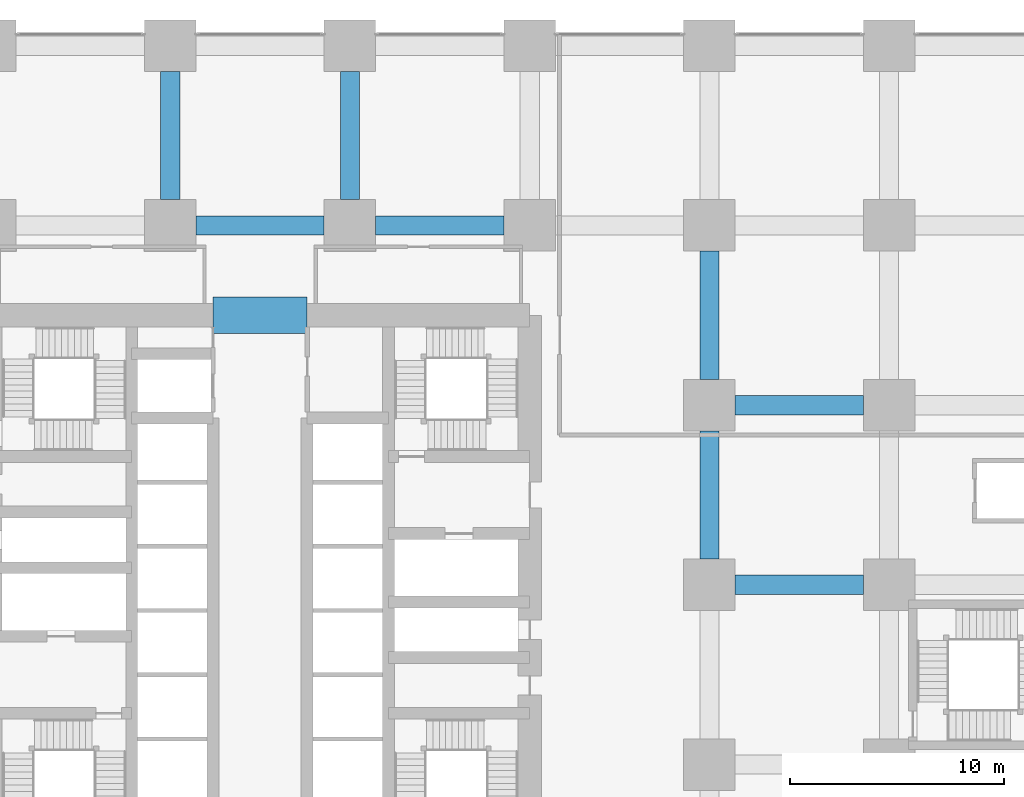
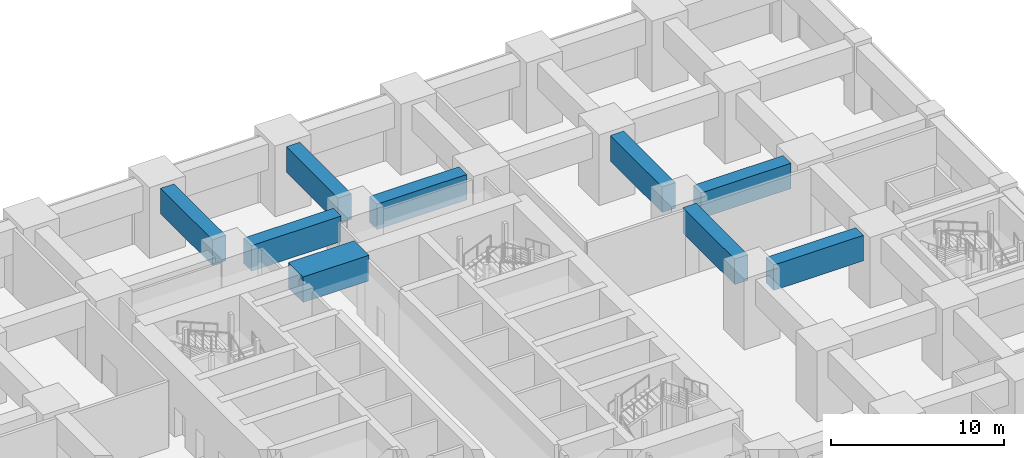
# One storey, part 26 of 48: 9 beams.
"""IFC4 building model written with IfcOpenShell, lengths in metres."""

from ifc_helpers import new_model, si_unit, direction, frame, origin, origin_2d, place, context, subcontext, project, spatial, rectangle, extrude, material, material_profile, profile_set, type_object, element, save


model = new_model("IFC4")

# Units and contexts
model_context = context("Model", 3, precision=1e-05, world=origin(), true_north=direction((0.0, 1.0)))
body_context = subcontext(model_context, "Body", "Model", "MODEL_VIEW")
ifc_project = project(units=[si_unit("LENGTHUNIT", "METRE"), si_unit("AREAUNIT", "SQUARE_METRE"), si_unit("VOLUMEUNIT", "CUBIC_METRE"), si_unit("PLANEANGLEUNIT", "RADIAN"), si_unit("MASSUNIT", "GRAM", prefix="KILO")], contexts=[model_context])

# Site, building, storey
site_placement = place(None, origin())
site = spatial("IfcSite", under=ifc_project, at=site_placement, CompositionType="ELEMENT")
building_placement = place(site_placement, origin())
building = spatial("IfcBuilding", under=site, at=building_placement, Name="Rekha Terrace Tower", CompositionType="ELEMENT")
storey_placement = place(building_placement, frame((0.0, 0.0, 15.39990234375)))
storey = spatial("IfcBuildingStorey", under=building, at=storey_placement, Name="L03", CompositionType="ELEMENT", Elevation=15.39990234375)

# Beams
ifc_material_1 = material(Name="Concrete M60", Category="concrete")
ifc_material_profile_1 = material_profile(ifc_material_1, rectangle(XDim=0.89990234375, YDim=1.800048828125, at=origin_2d()), Name="RC 900x1800")
ifc_profile_set_1 = profile_set([ifc_material_profile_1], Name="Concrete M60")
beam_type_1 = type_object("IfcBeamType", Name="G1 900x1800 podium floor beam", PredefinedType="BEAM", material=ifc_profile_set_1)
for number, where, z_axis, x_axis, name in (
    (1, (34.800048828125, 50.39990234375, 3.800048828125), (1.0, 0.0, 0.0), (0.0, 1.0, 0.0), "Beam G1 5G-6G under L04"),
    (2, (33.60009765625, 51.60009765625, 3.800048828125), (0.0, 1.0, 0.0), (-1.0, 0.0, 0.0), "Beam G1 5G-5H under L04"),
    (3, (43.199951171875, 50.39990234375, 3.800048828125), (1.0, 0.0, 0.0), (0.0, 1.0, 0.0), "Beam G1 6G-7G under L04"),
    (4, (42.0, 51.60009765625, 3.800048828125), (0.0, 1.0, 0.0), (-1.0, 0.0, 0.0), "Beam G1 6G-6H under L04"),
    (5, (60.0, 33.60009765625, 3.800048828125), (1.0, 0.0, 0.0), (0.0, 1.0, 0.0), "Beam G1 8E-9E under L04"),
    (6, (58.800048828125, 34.800048828125, 3.800048828125), (0.0, 1.0, 0.0), (-1.0, 0.0, 0.0), "Beam G1 8E-8F under L04"),
    (7, (60.0, 42.0, 3.800048828125), (1.0, 0.0, 0.0), (0.0, 1.0, 0.0), "Beam G1 8F-9F under L04"),
    (8, (58.800048828125, 43.199951171875, 3.800048828125), (0.0, 1.0, 0.0), (-1.0, 0.0, 0.0), "Beam G1 8F-8G under L04"),
):
    element("IfcBeam", number, at=place(storey_placement, frame(where, z_axis=z_axis, x_axis=x_axis)), inside=storey, type_object=beam_type_1, Name=name, PredefinedType="BEAM", context=body_context, shape_type="SweptSolid", body=[
        extrude(rectangle(XDim=0.89990234375, YDim=1.800048828125, at=origin_2d()), origin(), (0.0, 0.0, 1.0), 6.0),
    ])
ifc_material_2 = material(Name="Concrete M70", Category="concrete")
ifc_material_profile_2 = material_profile(ifc_material_2, rectangle(XDim=1.699951171875, YDim=1.800048828125, at=origin_2d()), Name="RC 1700x1800")
ifc_profile_set_2 = profile_set([ifc_material_profile_2], Name="Concrete M70")
beam_type_2 = type_object("IfcBeamType", Name="LB1B 1700x1800 diagonally reinforced coupling beam", PredefinedType="LINTEL", material=ifc_profile_set_2)
beam_placement = place(storey_placement, frame((35.60009765625, 46.199951171875, 4.10009765625), z_axis=(1.0, 0.0, 0.0), x_axis=(0.0, 1.0, 0.0)))
element("IfcBeam", 9, at=beam_placement, inside=storey, type_object=beam_type_2, Name="Coupling beam LB1B N L03", PredefinedType="LINTEL", context=body_context, shape_type="SweptSolid", body=[
    extrude(rectangle(XDim=1.699951171875, YDim=1.800048828125, at=origin_2d()), origin(), (0.0, 0.0, 1.0), 4.39990234375),
])

save(model, "model.ifc")
